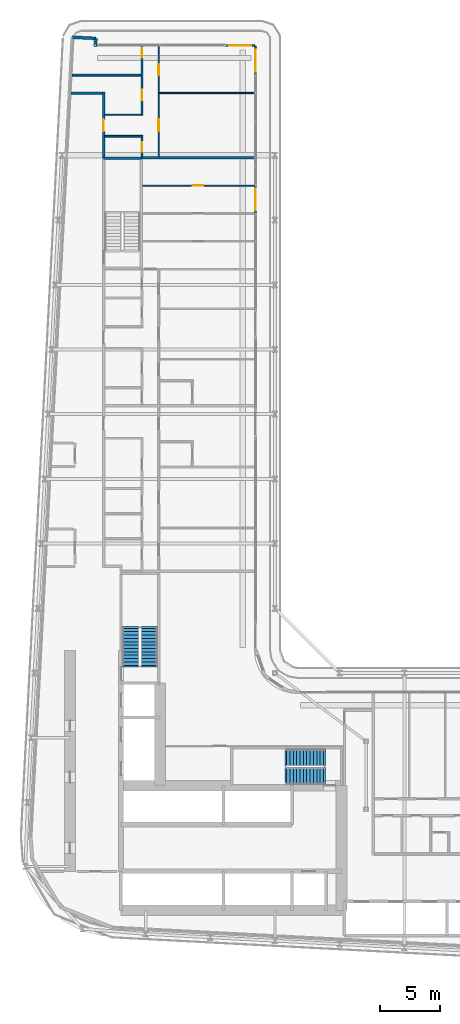
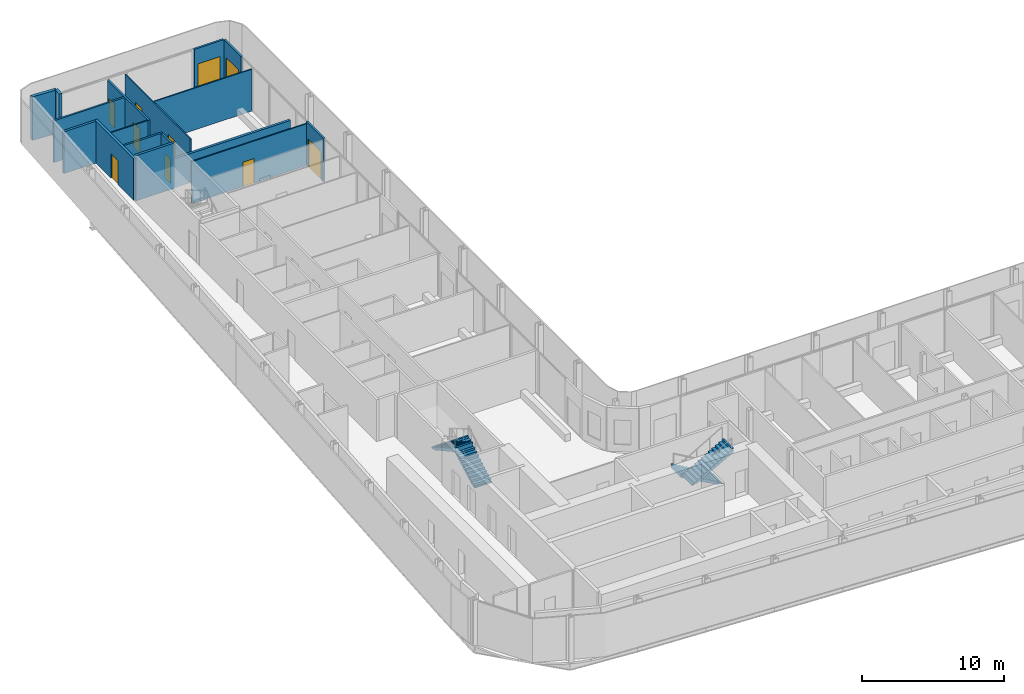
# One storey, part 20 of 28: 17 walls, 10 doors, 4 stair flights, 10 openings, 2 elements without a shape of their own.
"""IFC4 building model written with IfcOpenShell, lengths in metres."""

import ifcopenshell
import ifcopenshell.guid

model = None  # the IFC model being written
_history = None  # IfcOwnerHistory: only IFC2X3 demands one
_inside = {}  # id of a spatial element -> (the spatial element, [elements in it])
_under = {}  # id of a project, library or spatial element -> (it, [spatial elements below it])
_declared = {}  # id of a project -> (the project, [libraries it declares])
_typed = {}  # id of a type object -> (the type object, [elements of that type])
_made_of = {}  # id of a material, layer set ... -> (it, [elements and type objects made of it])


def new_model(schema):
    """Start an empty IFC model of exactly this schema.

    Asked for "IFC4X3", IfcOpenShell would pick the latest addendum, in which some entities
    have other attributes; the version numbers below select the first issue.
    IFC2X3 requires an IfcOwnerHistory on every rooted entity: one is made here for all.
    """
    global model, _history
    if schema == "IFC4X3":
        model = ifcopenshell.file(schema_version=(4, 3, 0, 0))
    else:
        model = ifcopenshell.file(schema=schema)
    _inside.clear()
    _under.clear()
    _declared.clear()
    _typed.clear()
    _made_of.clear()
    _history = None
    if model.schema == "IFC2X3":
        org = make("IfcOrganization", Name="unknown")
        user = make(
            "IfcPersonAndOrganization",
            ThePerson=make("IfcPerson", FamilyName="unknown"),
            TheOrganization=org,
        )
        app = make(
            "IfcApplication",
            ApplicationDeveloper=org,
            Version="unknown",
            ApplicationFullName="unknown",
            ApplicationIdentifier="unknown",
        )
        _history = make(
            "IfcOwnerHistory",
            OwningUser=user,
            OwningApplication=app,
            ChangeAction="ADDED",
            CreationDate=0,
        )
    return model


def make(cls, **values):
    """One entity of the class cls with the attributes given. An attribute that is None is left unset."""
    return model.create_entity(
        cls, **{name: value for name, value in values.items() if value is not None}
    )


def rooted(cls, **values):
    """An entity with a GlobalId (a new one), such as an element, a storey or a relation."""
    return make(cls, GlobalId=ifcopenshell.guid.new(), OwnerHistory=_history, **values)


def si_unit(unit_type, name, prefix=None):
    """IfcSIUnit, for example si_unit("LENGTHUNIT", "METRE", prefix="MILLI")."""
    return make("IfcSIUnit", UnitType=unit_type, Prefix=prefix, Name=name)


def assignment(units):
    """IfcUnitAssignment: the units of a project."""
    return None if units is None else make("IfcUnitAssignment", Units=units)


def point(xyz):
    """IfcCartesianPoint."""
    return None if xyz is None else make("IfcCartesianPoint", Coordinates=xyz)


def direction(xyz):
    """IfcDirection."""
    return None if xyz is None else make("IfcDirection", DirectionRatios=xyz)


def frame(location, z_axis=None, x_axis=None):
    """IfcAxis2Placement3D, a coordinate frame: its origin and axes. An axis left out is left unset."""
    return make(
        "IfcAxis2Placement3D",
        Location=point(location),
        Axis=direction(z_axis),
        RefDirection=direction(x_axis),
    )


def frame_2d(location, x_axis=None):
    """IfcAxis2Placement2D, a coordinate frame in the plane: its origin and x axis."""
    return make(
        "IfcAxis2Placement2D", Location=point(location), RefDirection=direction(x_axis)
    )


def origin():
    """The frame at (0, 0, 0) with its axes left unset."""
    return frame((0.0, 0.0, 0.0))


def place(relative_to, where):
    """IfcLocalPlacement: puts the frame where relative to a parent placement (None: the world)."""
    return make(
        "IfcLocalPlacement", PlacementRelTo=relative_to, RelativePlacement=where
    )


def context(
    kind, dimensions, precision=None, world=None, true_north=None, identifier=None
):
    """IfcGeometricRepresentationContext, for example the 3D "Model" context."""
    return make(
        "IfcGeometricRepresentationContext",
        ContextIdentifier=identifier,
        ContextType=kind,
        CoordinateSpaceDimension=dimensions,
        Precision=precision,
        WorldCoordinateSystem=world,
        TrueNorth=true_north,
    )


def subcontext(parent, identifier, kind, view, scale=None):
    """IfcGeometricRepresentationSubContext, for example "Body" below "Model"."""
    return make(
        "IfcGeometricRepresentationSubContext",
        ContextIdentifier=identifier,
        ContextType=kind,
        ParentContext=parent,
        TargetScale=scale,
        TargetView=view,
    )


def project(units=None, contexts=None):
    """IfcProject with its units and contexts."""
    return rooted(
        "IfcProject",
        Name="project",
        RepresentationContexts=contexts,
        UnitsInContext=assignment(units),
    )


def spatial(cls, under=None, at=None, **own):
    """A site, building, storey or space (cls), placed at a placement, below another one or the project."""
    s = rooted(cls, ObjectPlacement=at, **own)
    if under is not None:
        _under.setdefault(under.id(), (under, []))[1].append(s)
    return s


def polyline(points):
    """IfcPolyline through the points."""
    return make("IfcPolyline", Points=[point(p) for p in points])


def profile(cls, at=None, kind="AREA", **sizes):
    """A parametric profile (cls). Its sizes go by their IFC names, for example OverallWidth=200.0."""
    return make(cls, ProfileType=kind, Position=at, **sizes)


def rectangle(**sizes):
    """IfcRectangleProfileDef."""
    return profile("IfcRectangleProfileDef", **sizes)


def outline(outer, holes=None, kind="AREA"):
    """IfcArbitraryClosedProfileDef: a profile drawn as a closed curve; with holes, ...WithVoids."""
    if holes is None:
        return make("IfcArbitraryClosedProfileDef", ProfileType=kind, OuterCurve=outer)
    return make(
        "IfcArbitraryProfileDefWithVoids",
        ProfileType=kind,
        OuterCurve=outer,
        InnerCurves=holes,
    )


def extrude(swept, where, along, depth):
    """IfcExtrudedAreaSolid: the profile swept, set in the frame where, extruded along a direction by depth."""
    return make(
        "IfcExtrudedAreaSolid",
        SweptArea=swept,
        Position=where,
        ExtrudedDirection=direction(along),
        Depth=depth,
    )


def shape(context_of_items, identifier, shape_type, items):
    """IfcShapeRepresentation: the items that make up one representation, for example the "Body"."""
    return make(
        "IfcShapeRepresentation",
        ContextOfItems=context_of_items,
        RepresentationIdentifier=identifier,
        RepresentationType=shape_type,
        Items=items,
    )


def source(mapping_origin, context_of_items, identifier, shape_type, items):
    """IfcRepresentationMap: a shape defined once, which mapped items show again and again."""
    return make(
        "IfcRepresentationMap",
        MappingOrigin=mapping_origin,
        MappedRepresentation=shape(context_of_items, identifier, shape_type, items),
    )


def transform(
    local_origin,
    x_axis=None,
    y_axis=None,
    z_axis=None,
    scale=None,
    scale2=None,
    scale3=None,
    uniform=True,
):
    """IfcCartesianTransformationOperator3D, or its non-uniform kind. x_axis, y_axis, z_axis: its Axis1, 2, 3."""
    if uniform:
        return make(
            "IfcCartesianTransformationOperator3D",
            Axis1=direction(x_axis),
            Axis2=direction(y_axis),
            LocalOrigin=point(local_origin),
            Scale=scale,
            Axis3=direction(z_axis),
        )
    return make(
        "IfcCartesianTransformationOperator3DnonUniform",
        Axis1=direction(x_axis),
        Axis2=direction(y_axis),
        LocalOrigin=point(local_origin),
        Scale=scale,
        Axis3=direction(z_axis),
        Scale2=scale2,
        Scale3=scale3,
    )


def mapped(mapping_source, mapping_target):
    """IfcMappedItem: shows the shape of a source again, moved by a transform."""
    return make(
        "IfcMappedItem", MappingSource=mapping_source, MappingTarget=mapping_target
    )


def material(Name=None, Category=None):
    """IfcMaterial."""
    return make("IfcMaterial", Name=Name, Category=Category)


def layer(
    of_material, thickness, ventilated=None, Name=None, Category=None, Priority=None
):
    """IfcMaterialLayer: one layer of a wall or slab, of a material (None: an air gap)."""
    return make(
        "IfcMaterialLayer",
        Material=of_material,
        LayerThickness=thickness,
        IsVentilated=ventilated,
        Name=Name,
        Category=Category,
        Priority=Priority,
    )


def layer_set(layers, Name=None):
    """IfcMaterialLayerSet."""
    return make("IfcMaterialLayerSet", MaterialLayers=layers, LayerSetName=Name)


def made_of(thing, what):
    """Note that an element or type object is made of a material, layer set ...; save() writes the relation."""
    if what is not None:
        _made_of.setdefault(what.id(), (what, []))[1].append(thing)
    return thing


def type_object(cls, material=None, **own):
    """A type object (cls), such as IfcWallType, which elements share."""
    return made_of(rooted(cls, **own), material)


def element(
    cls,
    number,
    at=None,
    inside=None,
    cuts=None,
    type_object=None,
    material=None,
    context=None,
    identifier="Body",
    shape_type=None,
    held_by="IfcProductDefinitionShape",
    body=None,
    shapes=None,
    **own,
):
    """One element of the class cls, such as IfcWall. Its Tag is "e" and its number.

    at: its placement. inside: the storey or other place that contains it. cuts: it is an
    opening in that element (IfcRelVoidsElement). A single representation is given by context,
    identifier, shape_type and body (its items); several are given by shapes. held_by: the class
    of the entity that holds the representations. save() writes the other relations.
    """
    e = rooted(cls, Tag="e%d" % number, ObjectPlacement=at, **own)
    if body is not None:
        shapes = [shape(context, identifier, shape_type, body)]
    if shapes is not None:
        e.Representation = make(held_by, Representations=shapes)
    if inside is not None:
        _inside.setdefault(inside.id(), (inside, []))[1].append(e)
    if cuts is not None:
        rooted(
            "IfcRelVoidsElement", RelatingBuildingElement=cuts, RelatedOpeningElement=e
        )
    if type_object is not None:
        _typed.setdefault(type_object.id(), (type_object, []))[1].append(e)
    return made_of(e, material)


def fill(opening, filler):
    """IfcRelFillsElement: the door or window that sits in an opening."""
    return rooted(
        "IfcRelFillsElement",
        RelatingOpeningElement=opening,
        RelatedBuildingElement=filler,
    )


def aggregate(whole, parts):
    """IfcRelAggregates: a whole, such as a stair, and the parts it consists of."""
    return rooted("IfcRelAggregates", RelatingObject=whole, RelatedObjects=parts)


def save(model, path):
    """Write the relations noted so far, then the file.

    IfcRelAggregates (storeys below a building ...), IfcRelContainedInSpatialStructure (elements
    in a storey), IfcRelDefinesByType, IfcRelAssociatesMaterial and IfcRelDeclares: one each for
    every whole, place, type object, material and project.
    """
    for whole, parts in _under.values():
        aggregate(whole, parts)
    for where, things in _inside.values():
        rooted(
            "IfcRelContainedInSpatialStructure",
            RelatedElements=things,
            RelatingStructure=where,
        )
    for kind, things in _typed.values():
        rooted("IfcRelDefinesByType", RelatedObjects=things, RelatingType=kind)
    for what, things in _made_of.values():
        rooted("IfcRelAssociatesMaterial", RelatedObjects=things, RelatingMaterial=what)
    for by, libraries in _declared.values():
        rooted("IfcRelDeclares", RelatingContext=by, RelatedDefinitions=libraries)
    model.write(path)


model = new_model("IFC4")

# Units and contexts
model_context = context("Model", 3, precision=1e-05, world=origin(), true_north=direction((0.0, 1.0)))
body_context = subcontext(model_context, "Body", "Model", "MODEL_VIEW")
ifc_project = project(units=[si_unit("LENGTHUNIT", "METRE"), si_unit("AREAUNIT", "SQUARE_METRE"), si_unit("VOLUMEUNIT", "CUBIC_METRE"), si_unit("PLANEANGLEUNIT", "RADIAN"), si_unit("MASSUNIT", "GRAM", prefix="KILO")], contexts=[model_context])

# Site, building, storey
site_placement = place(None, origin())
site = spatial("IfcSite", under=ifc_project, at=site_placement, CompositionType="ELEMENT")
building_placement = place(site_placement, origin())
building = spatial("IfcBuilding", under=site, at=building_placement, Name="Kheshtan School and Residences Tower", CompositionType="ELEMENT")
storey_placement = place(building_placement, frame((0.0, 0.0, 137.0)))
storey = spatial("IfcBuildingStorey", under=building, at=storey_placement, Name="L32", CompositionType="ELEMENT", Elevation=137.0)

# Wall
ifc_material_1 = material(Name="Gypsum board on steel studs with fire boards", Category="steel")
ifc_layer_1 = layer(ifc_material_1, 0.199951171875)
ifc_layer_set_1 = layer_set([ifc_layer_1], Name="Corridor wall 200")
wall_type_1 = type_object("IfcWallType", Name="Corridor wall 200", PredefinedType="PARTITIONING", material=ifc_layer_set_1)
wall_1_placement = place(storey_placement, frame((30.584716796875, 94.0, 0.0), z_axis=(0.0, 0.0, 1.0), x_axis=(1.0, 0.0, 0.0)))
element("IfcWall", 1, at=wall_1_placement, inside=storey, type_object=wall_type_1, Name="Partition L32-002", PredefinedType="PARTITIONING", context=body_context, shape_type="SweptSolid", body=[
    extrude(rectangle(XDim=2.615234375, YDim=0.199951171875, at=frame_2d((1.3076171875, 0.0))), origin(), (0.0, 0.0, 1.0), 3.60009765625),
])

# Wall, opening, door
wall_2_placement = place(storey_placement, frame((33.300048828125, 88.60009765625, 0.0), z_axis=(0.0, 0.0, 1.0), x_axis=(0.0, 1.0, 0.0)))
wall_2 = element("IfcWall", 2, at=wall_2_placement, inside=storey, type_object=wall_type_1, Name="Partition L32-004", PredefinedType="PARTITIONING", context=body_context, shape_type="SweptSolid", body=[
    extrude(rectangle(XDim=5.5, YDim=0.199951171875, at=frame_2d((2.75, 0.0))), origin(), (0.0, 0.0, 1.0), 3.60009765625),
])
opening_1_placement = place(wall_2_placement, frame((2.199951171875, 0.0, 0.0)))
opening_1 = element("IfcOpeningElement", 3, at=opening_1_placement, cuts=wall_2, Name="Opening D32-059", PredefinedType="OPENING", context=body_context, shape_type="SweptSolid", body=[
    extrude(rectangle(XDim=1.0, YDim=2.10009765625, at=frame_2d((0.5, 1.050048828125))), frame((0.0, 0.10986328125, 0.0), z_axis=(0.0, -1.0, 0.0), x_axis=(1.0, 0.0, 0.0)), (0.0, 0.0, 1.0), 0.219970703125),
])
ifc_material_2 = material(Name="Steel-framed fire-resisting door leaf", Category="steel")
door_type_1 = type_object("IfcDoorType", Name="Fire door FD30S 1000 x 2100", OperationType="SINGLE_SWING_LEFT", PredefinedType="DOOR", material=ifc_material_2)
shared_shape_1 = source(origin(), body_context, "Body", "SweptSolid", [
    extrude(rectangle(XDim=1.0, YDim=2.10009765625, at=frame_2d((0.5, 1.050048828125))), frame((0.0, 0.02490234375, 0.0), z_axis=(0.0, -1.0, 0.0), x_axis=(1.0, 0.0, 0.0)), (0.0, 0.0, 1.0), 0.050048828125),
])
door_1_placement = place(opening_1_placement, origin())
door_1 = element("IfcDoor", 4, at=door_1_placement, inside=storey, type_object=door_type_1, Name="Door D32-059", OperationType="SINGLE_SWING_LEFT", OverallHeight=2.10009765625, OverallWidth=1.0, PredefinedType="DOOR", context=body_context, shape_type="MappedRepresentation", body=[
    mapped(shared_shape_1, transform((0.0, 0.0, 0.0), x_axis=(1.0, 0.0, 0.0), y_axis=(0.0, 1.0, 0.0), z_axis=(0.0, 0.0, 1.0), scale=1.0)),
])
fill(opening_1, door_1)

# Walls
ifc_material_3 = material(Name="Concrete C40/50 with ceramic cladding and mineral wool insulation", Category="concrete")
ifc_layer_2 = layer(ifc_material_3, 0.25)
ifc_layer_set_2 = layer_set([ifc_layer_2], Name="External wall 250 ceramic clad")
wall_type_2 = type_object("IfcWallType", Name="External wall 250 ceramic clad", PredefinedType="SOLIDWALL", material=ifc_layer_set_2)
wall_3_placement = place(storey_placement, frame((30.705078125, 98.6640625, 0.0), z_axis=(0.0, 0.0, 1.0), x_axis=(0.998577785791, -0.053314216913, 0.0)))
element("IfcWall", 5, at=wall_3_placement, inside=storey, type_object=wall_type_2, Name="External wall L32 5", PredefinedType="SOLIDWALL", context=body_context, shape_type="SweptSolid", body=[
    extrude(rectangle(XDim=1.95068359375, YDim=0.25, at=frame_2d((0.975341796875, 0.0))), origin(), (0.0, 0.0, 1.0), 3.75),
])
wall_4_placement = place(storey_placement, frame((32.653076171875, 98.56005859375, 0.0), z_axis=(0.0, 0.0, 1.0), x_axis=(-0.054093451632, -0.998535877418, 0.0)))
element("IfcWall", 6, at=wall_4_placement, inside=storey, type_object=wall_type_2, Name="External wall L32 6", PredefinedType="SOLIDWALL", context=body_context, shape_type="SweptSolid", body=[
    extrude(rectangle(XDim=0.66796875, YDim=0.25, at=frame_2d((0.333984375, 0.0))), origin(), (0.0, 0.0, 1.0), 3.75),
])

# Wall, opening, door
ifc_material_4 = material(Name="Aluminium frame wall with insulated infill", Category="aluminium")
ifc_layer_3 = layer(ifc_material_4, 0.14990234375)
ifc_layer_set_3 = layer_set([ifc_layer_3], Name="Glazing frame wall 150")
wall_type_3 = type_object("IfcWallType", Name="Glazing frame wall 150", PredefinedType="SOLIDWALL", material=ifc_layer_set_3)
wall_5_placement = place(storey_placement, frame((43.5, 97.97509765625, 0.0), z_axis=(0.0, 0.0, 1.0), x_axis=(1.0, 0.0, 0.0)))
wall_5 = element("IfcWall", 7, at=wall_5_placement, inside=storey, type_object=wall_type_3, Name="Balcony door wall L32 7.1", PredefinedType="SOLIDWALL", context=body_context, shape_type="SweptSolid", body=[
    extrude(rectangle(XDim=2.39990234375, YDim=0.14990234375, at=frame_2d((1.199951171875, 0.0))), origin(), (0.0, 0.0, 1.0), 3.75),
])
opening_2_placement = place(wall_5_placement, frame((0.300048828125, 0.0, 0.0)))
opening_2 = element("IfcOpeningElement", 8, at=opening_2_placement, cuts=wall_5, Name="Opening BD", PredefinedType="OPENING", context=body_context, shape_type="SweptSolid", body=[
    extrude(rectangle(XDim=1.800048828125, YDim=2.39990234375, at=frame_2d((0.89990234375, 1.199951171875))), frame((0.0, 0.0849609375, 0.0), z_axis=(0.0, -1.0, 0.0), x_axis=(1.0, 0.0, 0.0)), (0.0, 0.0, 1.0), 0.169921875),
])
ifc_material_5 = material(Name="Clear low-e glass in thermally broken aluminium frame", Category="aluminium")
door_type_2 = type_object("IfcDoorType", Name="Balcony sliding door", OperationType="SLIDING_TO_LEFT", PredefinedType="DOOR", material=ifc_material_5)
shared_shape_2 = source(origin(), body_context, "Body", "SweptSolid", [
    extrude(rectangle(XDim=1.800048828125, YDim=2.39990234375, at=frame_2d((0.89990234375, 1.199951171875))), frame((0.0, 0.02490234375, 0.0), z_axis=(0.0, -1.0, 0.0), x_axis=(1.0, 0.0, 0.0)), (0.0, 0.0, 1.0), 0.050048828125),
])
door_2_placement = place(opening_2_placement, origin())
door_2 = element("IfcDoor", 9, at=door_2_placement, inside=storey, type_object=door_type_2, Name="Balcony door L32 7.1", OperationType="SLIDING_TO_LEFT", OverallHeight=2.39990234375, OverallWidth=1.800048828125, PredefinedType="DOOR", context=body_context, shape_type="MappedRepresentation", body=[
    mapped(shared_shape_2, transform((0.0, 0.0, 0.0), x_axis=(1.0, 0.0, 0.0), y_axis=(0.0, 1.0, 0.0), z_axis=(0.0, 0.0, 1.0), scale=1.0)),
])
fill(opening_2, door_2)

wall_6_placement = place(storey_placement, frame((45.97509765625, 97.89990234375, 0.0), z_axis=(0.0, 0.0, 1.0), x_axis=(0.0, -1.0, 0.0)))
wall_6 = element("IfcWall", 10, at=wall_6_placement, inside=storey, type_object=wall_type_3, Name="Balcony door wall L32 8.1", PredefinedType="SOLIDWALL", context=body_context, shape_type="SweptSolid", body=[
    extrude(rectangle(XDim=2.39990234375, YDim=0.14990234375, at=frame_2d((1.199951171875, 0.0))), origin(), (0.0, 0.0, 1.0), 3.75),
])
opening_3_placement = place(wall_6_placement, frame((0.300048828125, 0.0, 0.0)))
opening_3 = element("IfcOpeningElement", 11, at=opening_3_placement, cuts=wall_6, Name="Opening BD", PredefinedType="OPENING", context=body_context, shape_type="SweptSolid", body=[
    extrude(rectangle(XDim=1.800048828125, YDim=2.39990234375, at=frame_2d((0.89990234375, 1.199951171875))), frame((0.0, 0.0849609375, 0.0), z_axis=(0.0, -1.0, 0.0), x_axis=(1.0, 0.0, 0.0)), (0.0, 0.0, 1.0), 0.169921875),
])
door_3_placement = place(opening_3_placement, origin())
door_3 = element("IfcDoor", 12, at=door_3_placement, inside=storey, type_object=door_type_2, Name="Balcony door L32 8.1", OperationType="SLIDING_TO_LEFT", OverallHeight=2.39990234375, OverallWidth=1.800048828125, PredefinedType="DOOR", context=body_context, shape_type="MappedRepresentation", body=[
    mapped(shared_shape_2, transform((0.0, 0.0, 0.0), x_axis=(1.0, 0.0, 0.0), y_axis=(0.0, 1.0, 0.0), z_axis=(0.0, 0.0, 1.0), scale=1.0)),
])
fill(opening_3, door_3)

wall_7_placement = place(storey_placement, frame((45.97509765625, 86.305908203125, 0.0), z_axis=(0.0, 0.0, 1.0), x_axis=(0.0, -1.0, 0.0)))
wall_7 = element("IfcWall", 13, at=wall_7_placement, inside=storey, type_object=wall_type_3, Name="Balcony door wall L32 8.2", PredefinedType="SOLIDWALL", context=body_context, shape_type="SweptSolid", body=[
    extrude(rectangle(XDim=2.39990234375, YDim=0.14990234375, at=frame_2d((1.199951171875, 0.0))), origin(), (0.0, 0.0, 1.0), 3.75),
])
opening_4_placement = place(wall_7_placement, frame((0.300048828125, 0.0, 0.0)))
opening_4 = element("IfcOpeningElement", 14, at=opening_4_placement, cuts=wall_7, Name="Opening BD", PredefinedType="OPENING", context=body_context, shape_type="SweptSolid", body=[
    extrude(rectangle(XDim=1.800048828125, YDim=2.39990234375, at=frame_2d((0.89990234375, 1.199951171875))), frame((0.0, 0.0849609375, 0.0), z_axis=(0.0, -1.0, 0.0), x_axis=(1.0, 0.0, 0.0)), (0.0, 0.0, 1.0), 0.169921875),
])
door_4_placement = place(opening_4_placement, origin())
door_4 = element("IfcDoor", 15, at=door_4_placement, inside=storey, type_object=door_type_2, Name="Balcony door L32 8.2", OperationType="SLIDING_TO_LEFT", OverallHeight=2.39990234375, OverallWidth=1.800048828125, PredefinedType="DOOR", context=body_context, shape_type="MappedRepresentation", body=[
    mapped(shared_shape_2, transform((0.0, 0.0, 0.0), x_axis=(1.0, 0.0, 0.0), y_axis=(0.0, 1.0, 0.0), z_axis=(0.0, 0.0, 1.0), scale=1.0)),
])
fill(opening_4, door_4)

# Wall
ifc_material_6 = material(Name="Gypsum board on steel studs", Category="steel")
ifc_layer_4 = layer(ifc_material_6, 0.10009765625)
ifc_layer_set_4 = layer_set([ifc_layer_4], Name="Gypsum partition 100")
wall_type_4 = type_object("IfcWallType", Name="Gypsum partition 100", PredefinedType="PARTITIONING", material=ifc_layer_set_4)
wall_8_placement = place(storey_placement, frame((33.39990234375, 92.199951171875, 0.0), z_axis=(0.0, 0.0, 1.0), x_axis=(1.0, 0.0, 0.0)))
element("IfcWall", 16, at=wall_8_placement, inside=storey, type_object=wall_type_4, Name="Partition L32-017", PredefinedType="PARTITIONING", context=body_context, shape_type="SweptSolid", body=[
    extrude(rectangle(XDim=3.025146484375, YDim=0.10009765625, at=frame_2d((1.5126953125, 0.0))), origin(), (0.0, 0.0, 1.0), 3.60009765625),
])

# Wall, opening, door
wall_9_placement = place(storey_placement, frame((36.549072265625, 86.27490234375, 0.0), z_axis=(0.0, 0.0, 1.0), x_axis=(1.0, 0.0, 0.0)))
wall_9 = element("IfcWall", 17, at=wall_9_placement, inside=storey, type_object=wall_type_4, Name="Partition L32-029", PredefinedType="PARTITIONING", context=body_context, shape_type="SweptSolid", body=[
    extrude(rectangle(XDim=9.350830078125, YDim=0.10009765625, at=frame_2d((4.67529296875, 0.0))), origin(), (0.0, 0.0, 1.0), 3.60009765625),
])
opening_5_placement = place(wall_9_placement, frame((4.176025390625, 0.0, 0.0)))
opening_5 = element("IfcOpeningElement", 18, at=opening_5_placement, cuts=wall_9, Name="Opening D32-056", PredefinedType="OPENING", context=body_context, shape_type="SweptSolid", body=[
    extrude(rectangle(XDim=0.89990234375, YDim=2.10009765625, at=frame_2d((0.449951171875, 1.050048828125))), frame((0.0, 0.06005859375, 0.0), z_axis=(0.0, -1.0, 0.0), x_axis=(1.0, 0.0, 0.0)), (0.0, 0.0, 1.0), 0.1201171875),
])
ifc_material_7 = material(Name="Veneered timber door leaf", Category="wood")
door_type_3 = type_object("IfcDoorType", Name="Door 900 x 2100", OperationType="SINGLE_SWING_LEFT", PredefinedType="DOOR", material=ifc_material_7)
shared_shape_3 = source(origin(), body_context, "Body", "SweptSolid", [
    extrude(rectangle(XDim=0.89990234375, YDim=2.10009765625, at=frame_2d((0.449951171875, 1.050048828125))), frame((0.0, 0.02490234375, 0.0), z_axis=(0.0, -1.0, 0.0), x_axis=(1.0, 0.0, 0.0)), (0.0, 0.0, 1.0), 0.050048828125),
])
door_5_placement = place(opening_5_placement, origin())
door_5 = element("IfcDoor", 19, at=door_5_placement, inside=storey, type_object=door_type_3, Name="Door D32-056", OperationType="SINGLE_SWING_RIGHT", OverallHeight=2.10009765625, OverallWidth=0.89990234375, PredefinedType="DOOR", context=body_context, shape_type="MappedRepresentation", body=[
    mapped(shared_shape_3, transform((0.0, 0.0, 0.0), x_axis=(1.0, 0.0, 0.0), y_axis=(0.0, 1.0, 0.0), z_axis=(0.0, 0.0, 1.0), scale=1.0)),
])
fill(opening_5, door_5)

# Wall, openings, doors
wall_10_placement = place(storey_placement, frame((37.89990234375, 88.699951171875, 0.0), z_axis=(0.0, 0.0, 1.0), x_axis=(0.0, 1.0, 0.0)))
wall_10 = element("IfcWall", 20, at=wall_10_placement, inside=storey, type_object=wall_type_4, Name="Partition L32-032", PredefinedType="PARTITIONING", context=body_context, shape_type="SweptSolid", body=[
    extrude(rectangle(XDim=9.199951171875, YDim=0.10009765625, at=frame_2d((4.60009765625, 0.0))), origin(), (0.0, 0.0, 1.0), 3.60009765625),
])
opening_6_placement = place(wall_10_placement, frame((6.800048828125, 0.0, 0.0)))
opening_6 = element("IfcOpeningElement", 21, at=opening_6_placement, cuts=wall_10, Name="Opening D32-058", PredefinedType="OPENING", context=body_context, shape_type="SweptSolid", body=[
    extrude(rectangle(XDim=0.89990234375, YDim=2.10009765625, at=frame_2d((0.449951171875, 1.050048828125))), frame((0.0, 0.06005859375, 0.0), z_axis=(0.0, -1.0, 0.0), x_axis=(1.0, 0.0, 0.0)), (0.0, 0.0, 1.0), 0.1201171875),
])
opening_7_placement = place(wall_10_placement, frame((2.10009765625, 0.0, 0.0)))
opening_7 = element("IfcOpeningElement", 22, at=opening_7_placement, cuts=wall_10, Name="Opening D32-061", PredefinedType="OPENING", context=body_context, shape_type="SweptSolid", body=[
    extrude(rectangle(XDim=1.0, YDim=2.10009765625, at=frame_2d((0.5, 1.050048828125))), frame((0.0, 0.06005859375, 0.0), z_axis=(0.0, -1.0, 0.0), x_axis=(1.0, 0.0, 0.0)), (0.0, 0.0, 1.0), 0.1201171875),
])
door_type_4 = type_object("IfcDoorType", Name="Door 1000 x 2100", OperationType="SINGLE_SWING_LEFT", PredefinedType="DOOR", material=ifc_material_7)
shared_shape_4 = source(origin(), body_context, "Body", "SweptSolid", [
    extrude(rectangle(XDim=1.0, YDim=2.10009765625, at=frame_2d((0.5, 1.050048828125))), frame((0.0, 0.02490234375, 0.0), z_axis=(0.0, -1.0, 0.0), x_axis=(1.0, 0.0, 0.0)), (0.0, 0.0, 1.0), 0.050048828125),
])
door_6_placement = place(opening_7_placement, origin())
door_6 = element("IfcDoor", 23, at=door_6_placement, inside=storey, type_object=door_type_4, Name="Door D32-061", OperationType="SINGLE_SWING_LEFT", OverallHeight=2.10009765625, OverallWidth=1.0, PredefinedType="DOOR", context=body_context, shape_type="MappedRepresentation", body=[
    mapped(shared_shape_4, transform((0.0, 0.0, 0.0), x_axis=(1.0, 0.0, 0.0), y_axis=(0.0, 1.0, 0.0), z_axis=(0.0, 0.0, 1.0), scale=1.0)),
])
fill(opening_7, door_6)
door_7_placement = place(opening_6_placement, origin())
door_7 = element("IfcDoor", 24, at=door_7_placement, inside=storey, type_object=door_type_3, Name="Door D32-058", OperationType="SINGLE_SWING_RIGHT", OverallHeight=2.10009765625, OverallWidth=0.89990234375, PredefinedType="DOOR", context=body_context, shape_type="MappedRepresentation", body=[
    mapped(shared_shape_3, transform((0.0, 0.0, 0.0), x_axis=(1.0, 0.0, 0.0), y_axis=(0.0, 1.0, 0.0), z_axis=(0.0, 0.0, 1.0), scale=1.0)),
])
fill(opening_6, door_7)

# Walls
wall_11_placement = place(storey_placement, frame((37.949951171875, 94.0, 0.0), z_axis=(0.0, 0.0, 1.0), x_axis=(1.0, 0.0, 0.0)))
element("IfcWall", 25, at=wall_11_placement, inside=storey, type_object=wall_type_4, Name="Partition L32-033", PredefinedType="PARTITIONING", context=body_context, shape_type="SweptSolid", body=[
    extrude(rectangle(XDim=7.949951171875, YDim=0.10009765625, at=frame_2d((3.97509765625, 0.0))), origin(), (0.0, 0.0, 1.0), 3.60009765625),
])
ifc_material_8 = material(Name="Concrete C40/50", Category="concrete")
ifc_layer_5 = layer(ifc_material_8, 0.199951171875)
ifc_layer_set_5 = layer_set([ifc_layer_5], Name="Stair enclosure wall 200 Concrete C40/50")
wall_type_5 = type_object("IfcWallType", Name="Stair enclosure wall 200 Concrete C40/50", PredefinedType="SHEAR", material=ifc_layer_set_5)
wall_12_placement = place(storey_placement, frame((33.300048828125, 88.56005859375, 0.0), z_axis=(0.0, 0.0, 1.0), x_axis=(1.0, 0.0, 0.0)))
element("IfcWall", 26, at=wall_12_placement, inside=storey, type_object=wall_type_5, Name="Stair enclosure wall ST3", PredefinedType="SHEAR", context=body_context, shape_type="SweptSolid", body=[
    extrude(rectangle(XDim=3.14990234375, YDim=0.199951171875, at=frame_2d((1.574951171875, 0.0))), origin(), (0.0, 0.0, 1.0), 3.89990234375),
])
ifc_material_9 = material(Name="Twin gypsum board on steel studs with mineral wool", Category="steel")
ifc_layer_6 = layer(ifc_material_9, 0.199951171875)
ifc_layer_set_6 = layer_set([ifc_layer_6], Name="Unit demising wall 200")
wall_type_6 = type_object("IfcWallType", Name="Unit demising wall 200", PredefinedType="PARTITIONING", material=ifc_layer_set_6)
wall_13_placement = place(storey_placement, frame((36.425048828125, 88.60009765625, 0.0), z_axis=(0.0, 0.0, 1.0), x_axis=(1.0, 0.0, 0.0)))
element("IfcWall", 27, at=wall_13_placement, inside=storey, type_object=wall_type_6, Name="Partition L32-020", PredefinedType="PARTITIONING", context=body_context, shape_type="SweptSolid", body=[
    extrude(rectangle(XDim=9.474853515625, YDim=0.199951171875, at=frame_2d((4.7373046875, 0.0))), origin(), (0.0, 0.0, 1.0), 2.5),
])
ifc_material_10 = material(Name="Moisture-resistant gypsum board on steel studs", Category="steel")
ifc_layer_7 = layer(ifc_material_10, 0.14990234375)
ifc_layer_set_7 = layer_set([ifc_layer_7], Name="Wet-room partition 150")
wall_type_7 = type_object("IfcWallType", Name="Wet-room partition 150", PredefinedType="PARTITIONING", material=ifc_layer_set_7)
wall_14_placement = place(storey_placement, frame((30.6640625, 95.5, 0.0), z_axis=(0.0, 0.0, 1.0), x_axis=(1.0, 0.0, 0.0)))
element("IfcWall", 28, at=wall_14_placement, inside=storey, type_object=wall_type_7, Name="Partition L32-001", PredefinedType="PARTITIONING", context=body_context, shape_type="SweptSolid", body=[
    extrude(rectangle(XDim=5.760986328125, YDim=0.14990234375, at=frame_2d((2.88037109375, 0.0))), origin(), (0.0, 0.0, 1.0), 3.60009765625),
])
wall_15_placement = place(storey_placement, frame((33.39990234375, 90.39990234375, 0.0), z_axis=(0.0, 0.0, 1.0), x_axis=(1.0, 0.0, 0.0)))
element("IfcWall", 29, at=wall_15_placement, inside=storey, type_object=wall_type_7, Name="Partition L32-016", PredefinedType="PARTITIONING", context=body_context, shape_type="SweptSolid", body=[
    extrude(rectangle(XDim=3.175048828125, YDim=0.14990234375, at=frame_2d((1.58740234375, 0.0))), origin(), (0.0, 0.0, 1.0), 3.60009765625),
])

# Wall, opening, door
wall_16_placement = place(storey_placement, frame((36.5, 88.699951171875, 0.0), z_axis=(0.0, 0.0, 1.0), x_axis=(0.0, 1.0, 0.0)))
wall_16 = element("IfcWall", 30, at=wall_16_placement, inside=storey, type_object=wall_type_7, Name="Partition L32-025", PredefinedType="PARTITIONING", context=body_context, shape_type="SweptSolid", body=[
    extrude(rectangle(XDim=1.625, YDim=0.14990234375, at=frame_2d((0.8125, 0.0))), origin(), (0.0, 0.0, 1.0), 3.60009765625),
])
opening_8_placement = place(wall_16_placement, frame((0.39990234375, 0.0, 0.0)))
opening_8 = element("IfcOpeningElement", 31, at=opening_8_placement, cuts=wall_16, Name="Opening D32-062", PredefinedType="OPENING", context=body_context, shape_type="SweptSolid", body=[
    extrude(rectangle(XDim=0.800048828125, YDim=2.10009765625, at=frame_2d((0.39990234375, 1.050048828125))), frame((0.0, 0.0849609375, 0.0), z_axis=(0.0, -1.0, 0.0), x_axis=(1.0, 0.0, 0.0)), (0.0, 0.0, 1.0), 0.169921875),
])
door_type_5 = type_object("IfcDoorType", Name="Door 800 x 2100", OperationType="SINGLE_SWING_LEFT", PredefinedType="DOOR", material=ifc_material_7)
shared_shape_5 = source(origin(), body_context, "Body", "SweptSolid", [
    extrude(rectangle(XDim=0.800048828125, YDim=2.10009765625, at=frame_2d((0.39990234375, 1.050048828125))), frame((0.0, 0.02490234375, 0.0), z_axis=(0.0, -1.0, 0.0), x_axis=(1.0, 0.0, 0.0)), (0.0, 0.0, 1.0), 0.050048828125),
])
door_8_placement = place(opening_8_placement, origin())
door_8 = element("IfcDoor", 32, at=door_8_placement, inside=storey, type_object=door_type_5, Name="Door D32-062", OperationType="SINGLE_SWING_RIGHT", OverallHeight=2.10009765625, OverallWidth=0.800048828125, PredefinedType="DOOR", context=body_context, shape_type="MappedRepresentation", body=[
    mapped(shared_shape_5, transform((0.0, 0.0, 0.0), x_axis=(1.0, 0.0, 0.0), y_axis=(0.0, 1.0, 0.0), z_axis=(0.0, 0.0, 1.0), scale=1.0)),
])
fill(opening_8, door_8)

# Wall, openings, doors
wall_17_placement = place(storey_placement, frame((36.5, 92.14990234375, 0.0), z_axis=(0.0, 0.0, 1.0), x_axis=(0.0, 1.0, 0.0)))
wall_17 = element("IfcWall", 33, at=wall_17_placement, inside=storey, type_object=wall_type_7, Name="Partition L32-026", PredefinedType="PARTITIONING", context=body_context, shape_type="SweptSolid", body=[
    extrude(rectangle(XDim=5.75, YDim=0.14990234375, at=frame_2d((2.875, 0.0))), origin(), (0.0, 0.0, 1.0), 3.60009765625),
])
opening_9_placement = place(wall_17_placement, frame((4.800048828125, 0.0, 0.0)))
opening_9 = element("IfcOpeningElement", 34, at=opening_9_placement, cuts=wall_17, Name="Opening D32-057", PredefinedType="OPENING", context=body_context, shape_type="SweptSolid", body=[
    extrude(rectangle(XDim=0.800048828125, YDim=2.10009765625, at=frame_2d((0.39990234375, 1.050048828125))), frame((0.0, 0.0849609375, 0.0), z_axis=(0.0, -1.0, 0.0), x_axis=(1.0, 0.0, 0.0)), (0.0, 0.0, 1.0), 0.169921875),
])
opening_10_placement = place(wall_17_placement, frame((1.25, 0.0, 0.0)))
opening_10 = element("IfcOpeningElement", 35, at=opening_10_placement, cuts=wall_17, Name="Opening D32-060", PredefinedType="OPENING", context=body_context, shape_type="SweptSolid", body=[
    extrude(rectangle(XDim=0.89990234375, YDim=2.10009765625, at=frame_2d((0.449951171875, 1.050048828125))), frame((0.0, 0.0849609375, 0.0), z_axis=(0.0, -1.0, 0.0), x_axis=(1.0, 0.0, 0.0)), (0.0, 0.0, 1.0), 0.169921875),
])
door_9_placement = place(opening_9_placement, origin())
door_9 = element("IfcDoor", 36, at=door_9_placement, inside=storey, type_object=door_type_5, Name="Door D32-057", OperationType="SINGLE_SWING_LEFT", OverallHeight=2.10009765625, OverallWidth=0.800048828125, PredefinedType="DOOR", context=body_context, shape_type="MappedRepresentation", body=[
    mapped(shared_shape_5, transform((0.0, 0.0, 0.0), x_axis=(1.0, 0.0, 0.0), y_axis=(0.0, 1.0, 0.0), z_axis=(0.0, 0.0, 1.0), scale=1.0)),
])
fill(opening_9, door_9)
door_10_placement = place(opening_10_placement, origin())
door_10 = element("IfcDoor", 37, at=door_10_placement, inside=storey, type_object=door_type_3, Name="Door D32-060", OperationType="SINGLE_SWING_RIGHT", OverallHeight=2.10009765625, OverallWidth=0.89990234375, PredefinedType="DOOR", context=body_context, shape_type="MappedRepresentation", body=[
    mapped(shared_shape_3, transform((0.0, 0.0, 0.0), x_axis=(1.0, 0.0, 0.0), y_axis=(0.0, 1.0, 0.0), z_axis=(0.0, 0.0, 1.0), scale=1.0)),
])
fill(opening_10, door_10)

# Stair, stair flights
stair_type = type_object("IfcStairType", Name="Exit stair, half-turn", PredefinedType="HALF_TURN_STAIR", material=ifc_material_8)
stair_1_placement = place(storey_placement, origin())
stair_1 = element("IfcStair", 38, at=stair_1_placement, inside=storey, type_object=stair_type, Name="L32 Protected Exit Stair ST1", PredefinedType="HALF_TURN_STAIR")
ifc_layer_8 = layer(ifc_material_8, 0.14990234375)
ifc_layer_set_8 = layer_set([ifc_layer_8], Name="Stair flight 1400 Concrete C40/50")
stair_flight_type = type_object("IfcStairFlightType", Name="Stair flight 1400 Concrete C40/50", PredefinedType="STRAIGHT", material=ifc_layer_set_8)
stair_flight_1_placement = place(storey_placement, frame((51.64990234375, 38.550048828125, 0.0), z_axis=(0.0, 0.0, 1.0), x_axis=(-1.0, 0.0, 0.0)))
stair_flight_1 = element("IfcStairFlight", 39, at=stair_flight_1_placement, type_object=stair_flight_type, Name="ST1 flight 1", NumberOfRisers=12, NumberOfTreads=11, PredefinedType="STRAIGHT", RiserHeight=0.1625, TreadLength=0.28, context=body_context, shape_type="SweptSolid", body=[
    extrude(outline(polyline([(-0.14990234375, -0.10009765625), (-0.14990234375, 0.0), (0.0, 0.0), (0.0, 0.16259765625), (0.280029296875, 0.16259765625), (0.280029296875, 0.324951171875), (0.56005859375, 0.324951171875), (0.56005859375, 0.487548828125), (0.840087890625, 0.487548828125), (0.840087890625, 0.64990234375), (1.1201171875, 0.64990234375), (1.1201171875, 0.8125), (1.39990234375, 0.8125), (1.39990234375, 0.97509765625), (1.679931640625, 0.97509765625), (1.679931640625, 1.137451171875), (1.9599609375, 1.137451171875), (1.9599609375, 1.300048828125), (2.239990234375, 1.300048828125), (2.239990234375, 1.46240234375), (2.52001953125, 1.46240234375), (2.52001953125, 1.625), (2.800048828125, 1.625), (2.800048828125, 1.78759765625), (3.080078125, 1.78759765625), (3.080078125, 1.949951171875), (3.080078125, 1.969970703125), (3.22998046875, 1.969970703125), (3.22998046875, 1.6142578125), (0.298583984375, 0.0), (-0.14990234375, -0.10009765625)])), frame((0.0, 0.699951171875, 0.0), z_axis=(0.0, -1.0, 0.0), x_axis=(1.0, 0.0, 0.0)), (0.0, 0.0, 1.0), 1.39990234375),
])
stair_flight_2_placement = place(storey_placement, frame((48.570068359375, 37.0, 1.949951171875), z_axis=(0.0, 0.0, 1.0), x_axis=(1.0, 0.0, 0.0)))
stair_flight_2 = element("IfcStairFlight", 40, at=stair_flight_2_placement, type_object=stair_flight_type, Name="ST1 flight 2", NumberOfRisers=12, NumberOfTreads=11, PredefinedType="STRAIGHT", RiserHeight=0.1625, TreadLength=0.28, context=body_context, shape_type="SweptSolid", body=[
    extrude(outline(polyline([(-0.14990234375, -0.10009765625), (-0.14990234375, 0.0), (0.0, 0.0), (0.0, 0.16259765625), (0.280029296875, 0.16259765625), (0.280029296875, 0.324951171875), (0.56005859375, 0.324951171875), (0.56005859375, 0.487548828125), (0.840087890625, 0.487548828125), (0.840087890625, 0.64990234375), (1.1201171875, 0.64990234375), (1.1201171875, 0.8125), (1.39990234375, 0.8125), (1.39990234375, 0.97509765625), (1.679931640625, 0.97509765625), (1.679931640625, 1.137451171875), (1.9599609375, 1.137451171875), (1.9599609375, 1.300048828125), (2.239990234375, 1.300048828125), (2.239990234375, 1.46240234375), (2.52001953125, 1.46240234375), (2.52001953125, 1.625), (2.800048828125, 1.625), (2.800048828125, 1.78759765625), (3.080078125, 1.78759765625), (3.080078125, 1.949951171875), (3.080078125, 1.969970703125), (3.22998046875, 1.969970703125), (3.22998046875, 1.6142578125), (0.298583984375, 0.0), (-0.14990234375, -0.10009765625)])), frame((0.0, 0.699951171875, 0.0), z_axis=(0.0, -1.0, 0.0), x_axis=(1.0, 0.0, 0.0)), (0.0, 0.0, 1.0), 1.39990234375),
])
aggregate(stair_1, [stair_flight_1, stair_flight_2])

stair_2_placement = place(storey_placement, origin())
stair_2 = element("IfcStair", 41, at=stair_2_placement, inside=storey, type_object=stair_type, Name="L32 Protected Exit Stair ST2", PredefinedType="HALF_TURN_STAIR")
stair_flight_3_placement = place(storey_placement, frame((37.10009765625, 46.25, 0.0), z_axis=(0.0, 0.0, 1.0), x_axis=(0.0, 1.0, 0.0)))
stair_flight_3 = element("IfcStairFlight", 42, at=stair_flight_3_placement, type_object=stair_flight_type, Name="ST2 flight 1", NumberOfRisers=12, NumberOfTreads=11, PredefinedType="STRAIGHT", RiserHeight=0.1625, TreadLength=0.28, context=body_context, shape_type="SweptSolid", body=[
    extrude(outline(polyline([(-0.14990234375, -0.10009765625), (-0.14990234375, 0.0), (0.0, 0.0), (0.0, 0.16259765625), (0.280029296875, 0.16259765625), (0.280029296875, 0.324951171875), (0.56005859375, 0.324951171875), (0.56005859375, 0.487548828125), (0.840087890625, 0.487548828125), (0.840087890625, 0.64990234375), (1.1201171875, 0.64990234375), (1.1201171875, 0.8125), (1.39990234375, 0.8125), (1.39990234375, 0.97509765625), (1.679931640625, 0.97509765625), (1.679931640625, 1.137451171875), (1.9599609375, 1.137451171875), (1.9599609375, 1.300048828125), (2.239990234375, 1.300048828125), (2.239990234375, 1.46240234375), (2.52001953125, 1.46240234375), (2.52001953125, 1.625), (2.800048828125, 1.625), (2.800048828125, 1.78759765625), (3.080078125, 1.78759765625), (3.080078125, 1.949951171875), (3.080078125, 1.969970703125), (3.22998046875, 1.969970703125), (3.22998046875, 1.6142578125), (0.298583984375, 0.0), (-0.14990234375, -0.10009765625)])), frame((0.0, 0.699951171875, 0.0), z_axis=(0.0, -1.0, 0.0), x_axis=(1.0, 0.0, 0.0)), (0.0, 0.0, 1.0), 1.39990234375),
])
stair_flight_4_placement = place(storey_placement, frame((35.550048828125, 49.330078125, 1.949951171875), z_axis=(0.0, 0.0, 1.0), x_axis=(0.0, -1.0, 0.0)))
stair_flight_4 = element("IfcStairFlight", 43, at=stair_flight_4_placement, type_object=stair_flight_type, Name="ST2 flight 2", NumberOfRisers=12, NumberOfTreads=11, PredefinedType="STRAIGHT", RiserHeight=0.1625, TreadLength=0.28, context=body_context, shape_type="SweptSolid", body=[
    extrude(outline(polyline([(-0.14990234375, -0.10009765625), (-0.14990234375, 0.0), (0.0, 0.0), (0.0, 0.16259765625), (0.280029296875, 0.16259765625), (0.280029296875, 0.324951171875), (0.56005859375, 0.324951171875), (0.56005859375, 0.487548828125), (0.840087890625, 0.487548828125), (0.840087890625, 0.64990234375), (1.1201171875, 0.64990234375), (1.1201171875, 0.8125), (1.39990234375, 0.8125), (1.39990234375, 0.97509765625), (1.679931640625, 0.97509765625), (1.679931640625, 1.137451171875), (1.9599609375, 1.137451171875), (1.9599609375, 1.300048828125), (2.239990234375, 1.300048828125), (2.239990234375, 1.46240234375), (2.52001953125, 1.46240234375), (2.52001953125, 1.625), (2.800048828125, 1.625), (2.800048828125, 1.78759765625), (3.080078125, 1.78759765625), (3.080078125, 1.949951171875), (3.080078125, 1.969970703125), (3.22998046875, 1.969970703125), (3.22998046875, 1.6142578125), (0.298583984375, 0.0), (-0.14990234375, -0.10009765625)])), frame((0.0, 0.699951171875, 0.0), z_axis=(0.0, -1.0, 0.0), x_axis=(1.0, 0.0, 0.0)), (0.0, 0.0, 1.0), 1.39990234375),
])
aggregate(stair_2, [stair_flight_3, stair_flight_4])

save(model, "model.ifc")
